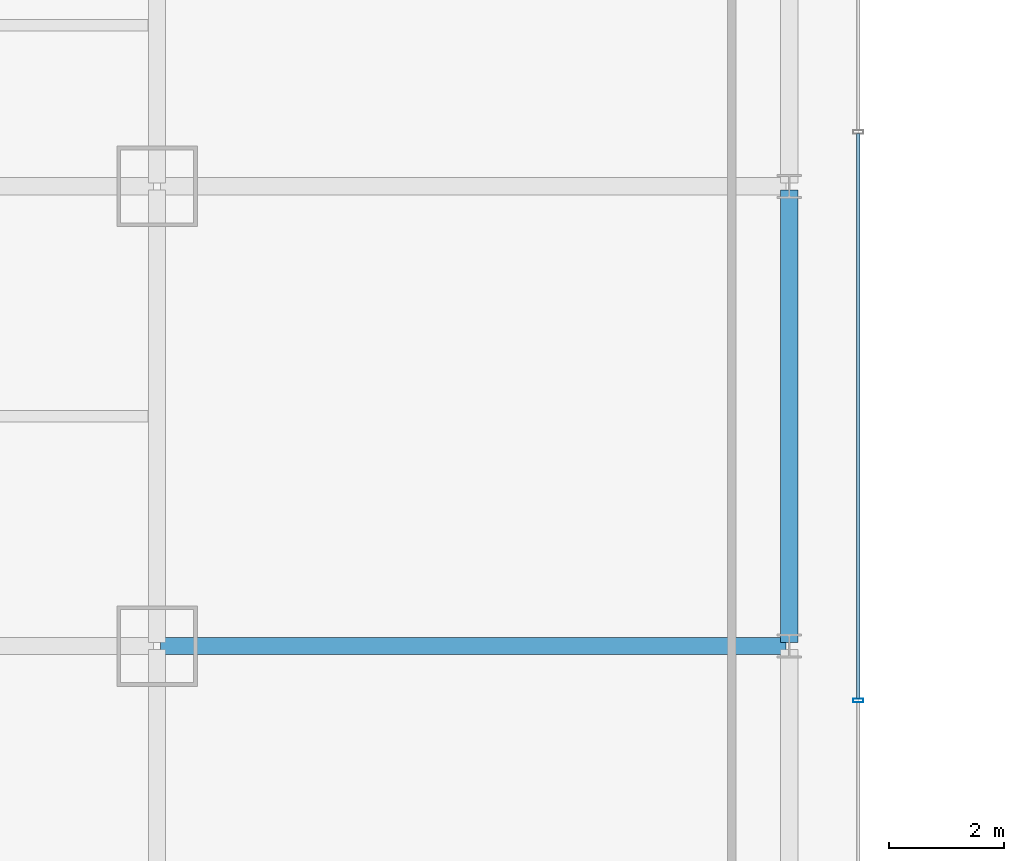
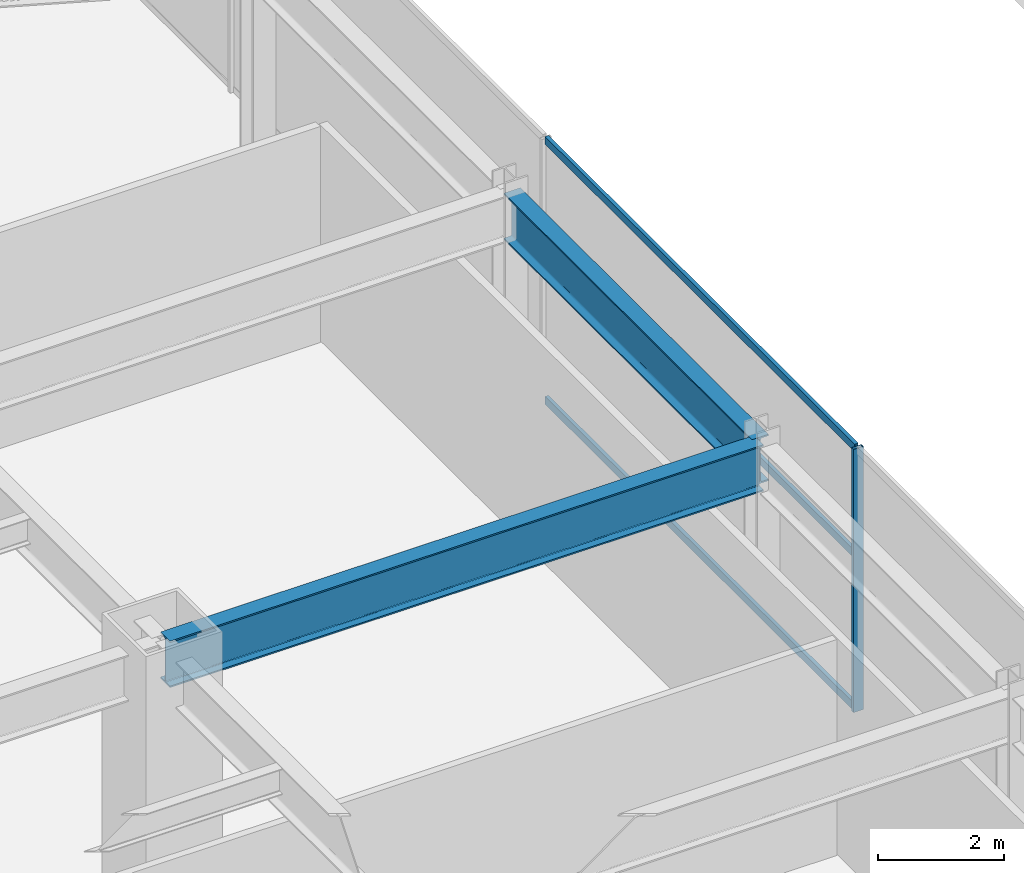
# One storey, part 22 of 52: 4 members, 2 beams, 1 element without a shape of its own.
"""IFC4 building model written with IfcOpenShell, lengths in metres."""

from ifc_helpers import new_model, si_unit, direction, frame, origin, origin_2d, place, context, subcontext, project, spatial, hollow_rectangle, i_section, extrude, material, material_profile, profile_set, type_object, element, aggregate, save


model = new_model("IFC4")

# Units and contexts
model_context = context("Model", 3, precision=1e-05, world=origin(), true_north=direction((0.0, 1.0)))
body_context = subcontext(model_context, "Body", "Model", "MODEL_VIEW")
ifc_project = project(units=[si_unit("LENGTHUNIT", "METRE"), si_unit("AREAUNIT", "SQUARE_METRE"), si_unit("VOLUMEUNIT", "CUBIC_METRE"), si_unit("PLANEANGLEUNIT", "RADIAN"), si_unit("MASSUNIT", "GRAM", prefix="KILO")], contexts=[model_context])

# Site, building, storey
site_placement = place(None, origin())
site = spatial("IfcSite", under=ifc_project, at=site_placement, CompositionType="ELEMENT")
building_placement = place(site_placement, origin())
building = spatial("IfcBuilding", under=site, at=building_placement, Name="Saevonmaru Cultural Tower", CompositionType="ELEMENT")
storey_placement = place(building_placement, frame((0.0, 0.0, 11.39990234375)))
storey = spatial("IfcBuildingStorey", under=building, at=storey_placement, Name="L02", CompositionType="ELEMENT", Elevation=11.39990234375)

# Beams
ifc_material_1 = material(Name="Steel SM420", Category="steel")
ifc_material_profile_1 = material_profile(ifc_material_1, i_section(OverallWidth=0.300048828125, OverallDepth=0.89990234375, WebThickness=0.01611328125, FlangeThickness=0.028076171875, FilletRadius=0.028076171875, at=origin_2d()), Name="H-900x300x16x28")
ifc_profile_set_1 = profile_set([ifc_material_profile_1], Name="Steel SM420")
beam_type = type_object("IfcBeamType", Name="BM-G-H900", PredefinedType="BEAM", material=ifc_profile_set_1)
beam_1_placement = place(storey_placement, frame((47.860107421875, 24.0, 4.650146484375), z_axis=(1.0, 0.0, 0.0), x_axis=(0.0, 1.0, 0.0)))
element("IfcBeam", 1, at=beam_1_placement, inside=storey, type_object=beam_type, Name="BM-POD-OE-3-L02", PredefinedType="BEAM", context=body_context, shape_type="SweptSolid", body=[
    extrude(i_section(OverallWidth=0.300048828125, OverallDepth=0.89990234375, WebThickness=0.01611328125, FlangeThickness=0.028076171875, FilletRadius=0.028076171875, at=origin_2d()), origin(), (0.0, 0.0, 1.0), 10.8798828125),
])
beam_2_placement = place(storey_placement, frame((58.800048828125, 24.06005859375, 4.650146484375), z_axis=(0.0, 1.0, 0.0), x_axis=(-1.0, 0.0, 0.0)))
element("IfcBeam", 2, at=beam_2_placement, inside=storey, type_object=beam_type, Name="BM-POD-PE-3-L02", PredefinedType="BEAM", context=body_context, shape_type="SweptSolid", body=[
    extrude(i_section(OverallWidth=0.300048828125, OverallDepth=0.89990234375, WebThickness=0.01611328125, FlangeThickness=0.028076171875, FilletRadius=0.028076171875, at=origin_2d()), origin(), (0.0, 0.0, 1.0), 7.8798828125),
])

# Curtain wall, members
ifc_material_2 = material(Name="Satin Bronze Anodised Aluminium", Category="aluminium")
curtain_wall_type = type_object("IfcCurtainWallType", Name="CW-POD-GLZ", PredefinedType="NOTDEFINED", material=ifc_material_2)
curtain_wall_placement = place(storey_placement, origin())
curtain_wall = element("IfcCurtainWall", 3, at=curtain_wall_placement, inside=storey, type_object=curtain_wall_type, Name="L02 Saevon Plaza Curtain Wall", PredefinedType="NOTDEFINED")
ifc_material_profile_2 = material_profile(ifc_material_2, hollow_rectangle(XDim=0.06494140625, YDim=0.179931640625, WallThickness=0.00390625, at=origin_2d()), Name="ALU-MULL-180x65x4")
ifc_profile_set_2 = profile_set([ifc_material_profile_2], Name="Satin Bronze Anodised Aluminium")
member_type_1 = type_object("IfcMemberType", Name="ML-CW-180x65", PredefinedType="MULLION", material=ifc_profile_set_2)
member_1_placement = place(storey_placement, frame((60.0, 23.052001953125, 0.0), z_axis=(0.0, 0.0, 1.0), x_axis=(0.0, 1.0, 0.0)))
member_1 = element("IfcMember", 4, at=member_1_placement, type_object=member_type_1, Name="CW-POD-E-L02 mullion 3", PredefinedType="MULLION", context=body_context, shape_type="SweptSolid", body=[
    extrude(hollow_rectangle(XDim=0.06494140625, YDim=0.179931640625, WallThickness=0.00390625, at=origin_2d()), origin(), (0.0, 0.0, 1.0), 5.10009765625),
])
ifc_material_profile_3 = material_profile(ifc_material_2, hollow_rectangle(XDim=0.06494140625, YDim=0.14990234375, WallThickness=0.00390625, at=origin_2d()), Name="ALU-TRAN-150x65x4")
ifc_profile_set_3 = profile_set([ifc_material_profile_3], Name="Satin Bronze Anodised Aluminium")
member_type_2 = type_object("IfcMemberType", Name="TR-CW-150x65", PredefinedType="USERDEFINED", material=ifc_profile_set_3)
member_2_placement = place(storey_placement, frame((60.0, 23.08447265625, 0.03271484375), z_axis=(0.0, 1.0, 0.0), x_axis=(-1.0, 0.0, 0.0)))
member_2 = element("IfcMember", 5, at=member_2_placement, type_object=member_type_2, Name="CW-POD-E-L02 transom 3.1", ObjectType="TRANSOM", PredefinedType="USERDEFINED", context=body_context, shape_type="SweptSolid", body=[
    extrude(hollow_rectangle(XDim=0.06494140625, YDim=0.14990234375, WallThickness=0.00390625, at=origin_2d()), origin(), (0.0, 0.0, 1.0), 9.8310546875),
])
member_3_placement = place(storey_placement, frame((60.0, 23.08447265625, 3.0), z_axis=(0.0, 1.0, 0.0), x_axis=(-1.0, 0.0, 0.0)))
member_3 = element("IfcMember", 6, at=member_3_placement, type_object=member_type_2, Name="CW-POD-E-L02 transom 3.2", ObjectType="TRANSOM", PredefinedType="USERDEFINED", context=body_context, shape_type="SweptSolid", body=[
    extrude(hollow_rectangle(XDim=0.06494140625, YDim=0.14990234375, WallThickness=0.00390625, at=origin_2d()), origin(), (0.0, 0.0, 1.0), 9.8310546875),
])
member_4_placement = place(storey_placement, frame((60.0, 23.08447265625, 5.067626953125), z_axis=(0.0, 1.0, 0.0), x_axis=(-1.0, 0.0, 0.0)))
member_4 = element("IfcMember", 7, at=member_4_placement, type_object=member_type_2, Name="CW-POD-E-L02 transom 3.3", ObjectType="TRANSOM", PredefinedType="USERDEFINED", context=body_context, shape_type="SweptSolid", body=[
    extrude(hollow_rectangle(XDim=0.06494140625, YDim=0.14990234375, WallThickness=0.00390625, at=origin_2d()), origin(), (0.0, 0.0, 1.0), 9.8310546875),
])
aggregate(curtain_wall, [member_1, member_2, member_3, member_4])

save(model, "model.ifc")
